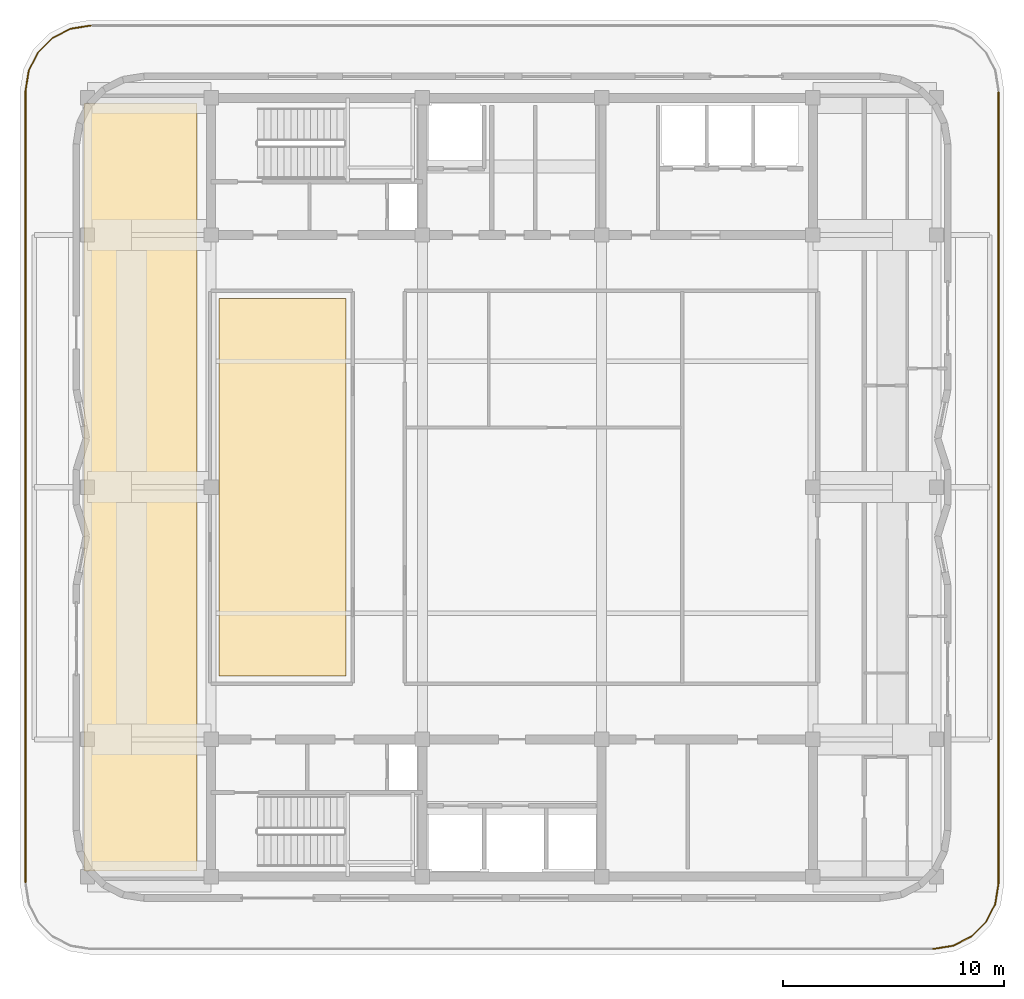
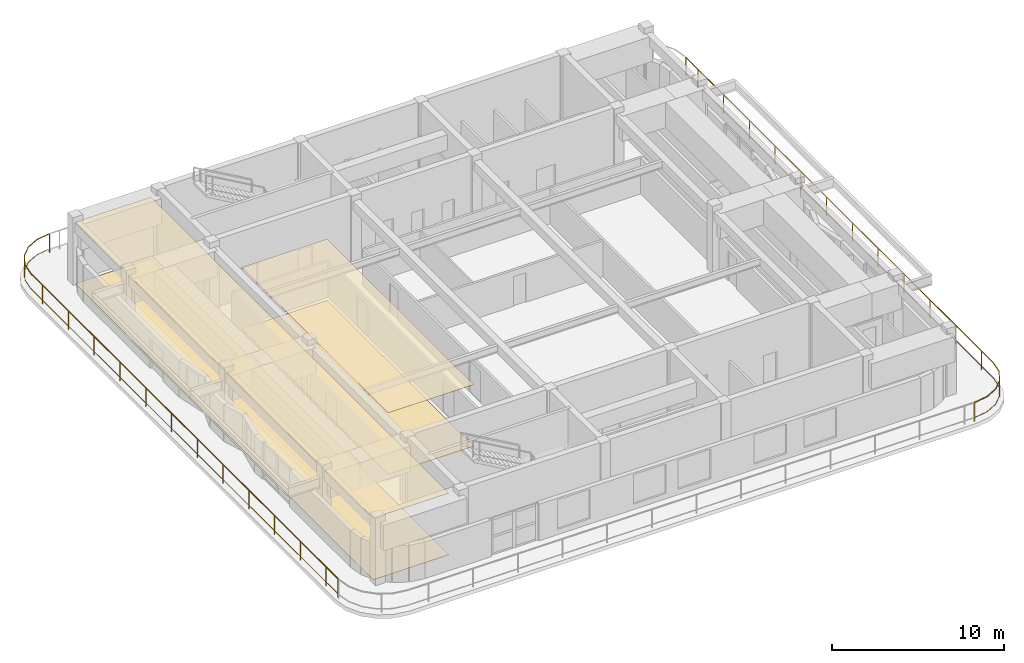
# One storey, part 11 of 12: 4 coverings, 2 railings.
"""IFC4 building model written with IfcOpenShell, lengths in metres."""

from ifc_helpers import new_model, si_unit, direction, frame, origin, origin_2d, place, context, subcontext, project, spatial, polyline, rectangle, outline, extrude, material, layer, layer_set, type_object, element, save


model = new_model("IFC4")

# Units and contexts
model_context = context("Model", 3, precision=1e-05, world=origin(), true_north=direction((0.0, 1.0)))
body_context = subcontext(model_context, "Body", "Model", "MODEL_VIEW")
ifc_project = project(units=[si_unit("LENGTHUNIT", "METRE"), si_unit("AREAUNIT", "SQUARE_METRE"), si_unit("VOLUMEUNIT", "CUBIC_METRE"), si_unit("PLANEANGLEUNIT", "RADIAN"), si_unit("MASSUNIT", "GRAM", prefix="KILO")], contexts=[model_context])

# Site, building, storey
site_placement = place(None, origin())
site = spatial("IfcSite", under=ifc_project, at=site_placement, CompositionType="ELEMENT")
building_placement = place(site_placement, origin())
building = spatial("IfcBuilding", under=site, at=building_placement, Name="Svetorya Sky Lyceum", CompositionType="ELEMENT")
storey_placement = place(building_placement, frame((0.0, 0.0, 297.199951171875)))
storey = spatial("IfcBuildingStorey", under=building, at=storey_placement, Name="L75", CompositionType="ELEMENT", Elevation=297.199951171875)

# Coverings
ifc_material_1 = material(Name="Perforated acoustic gypsum ceiling board")
ifc_layer_1 = layer(ifc_material_1, 0.01806640625)
ifc_layer_set_1 = layer_set([ifc_layer_1], Name="Perforated acoustic gypsum ceiling board")
covering_type_1 = type_object("IfcCoveringType", Name="COV-CLG-GYP", PredefinedType="CEILING", material=ifc_layer_set_1)
covering_1_placement = place(storey_placement, frame((0.0, 0.0, 4.382080078125)))
element("IfcCovering", 1, at=covering_1_placement, inside=storey, type_object=covering_type_1, Name="Sky Observatory West Panorama Wing Acoustic Ceiling", PredefinedType="CEILING", context=body_context, shape_type="SweptSolid", body=[
    extrude(outline(polyline([(19.860107421875, 10.85009765625), (24.949951171875, 10.85009765625), (24.949951171875, 45.550048828125), (19.860107421875, 45.550048828125), (19.860107421875, 10.85009765625)])), origin(), (0.0, 0.0, 1.0), 0.01806640625),
])
covering_2_placement = place(storey_placement, frame((0.0, 0.0, 4.382080078125)))
element("IfcCovering", 2, at=covering_2_placement, inside=storey, type_object=covering_type_1, Name="Sky Observatory Central Gallery Acoustic Ceiling", PredefinedType="CEILING", context=body_context, shape_type="SweptSolid", body=[
    extrude(outline(polyline([(25.949951171875, 19.669921875), (31.699951171875, 19.669921875), (31.699951171875, 36.72998046875), (25.949951171875, 36.72998046875), (25.949951171875, 19.669921875)])), origin(), (0.0, 0.0, 1.0), 0.01806640625),
])
ifc_material_2 = material(Name="Honed Karelian granite terrazzo flooring", Category="masonry")
ifc_layer_2 = layer(ifc_material_2, 0.030029296875)
ifc_layer_set_2 = layer_set([ifc_layer_2], Name="Honed Karelian granite terrazzo flooring")
covering_type_2 = type_object("IfcCoveringType", Name="COV-FLR-TER", PredefinedType="FLOORING", material=ifc_layer_set_2)
covering_3_placement = place(storey_placement, origin())
element("IfcCovering", 3, at=covering_3_placement, inside=storey, type_object=covering_type_2, Name="Sky Observatory West Panorama Wing Architectural Flooring", PredefinedType="FLOORING", context=body_context, shape_type="SweptSolid", body=[
    extrude(outline(polyline([(19.860107421875, 10.85009765625), (24.949951171875, 10.85009765625), (24.949951171875, 45.550048828125), (19.860107421875, 45.550048828125), (19.860107421875, 10.85009765625)])), origin(), (0.0, 0.0, 1.0), 0.030029296875),
])
covering_4_placement = place(storey_placement, origin())
element("IfcCovering", 4, at=covering_4_placement, inside=storey, type_object=covering_type_2, Name="Sky Observatory Central Gallery Architectural Flooring", PredefinedType="FLOORING", context=body_context, shape_type="SweptSolid", body=[
    extrude(outline(polyline([(25.949951171875, 19.669921875), (31.699951171875, 19.669921875), (31.699951171875, 36.72998046875), (25.949951171875, 36.72998046875), (25.949951171875, 19.669921875)])), origin(), (0.0, 0.0, 1.0), 0.030029296875),
])

# Railings
ifc_material_3 = material(Name="Laminated glass lookout balustrade", Category="glass")
railing_type = type_object("IfcRailingType", Name="RL-OBS-1350", PredefinedType="BALUSTRADE", material=ifc_material_3)
railing_1_placement = place(storey_placement, frame((58.239990234375, 7.330078125, 0.0)))
element("IfcRailing", 5, at=railing_1_placement, inside=storey, type_object=railing_type, Name="L75 Sky Observatory Balustrade Quadrant 2", PredefinedType="BALUSTRADE", context=body_context, shape_type="SweptSolid", body=[
    extrude(rectangle(XDim=0.048095703125, YDim=0.048095703125, at=origin_2d()), frame((0.0, 0.0, 1.326171875), z_axis=(0.987704989555, 0.156329311416, 0.0), x_axis=(-0.156329311416, 0.987704989555, 0.0)), (0.0, 0.0, 1.0), 0.9228515625),
    extrude(rectangle(XDim=0.02392578125, YDim=0.02392578125, at=origin_2d()), frame((0.0, 0.0, 0.25), z_axis=(0.987704989555, 0.156329311416, 0.0), x_axis=(-0.156329311416, 0.987704989555, 0.0)), (0.0, 0.0, 1.0), 0.9228515625),
    extrude(rectangle(XDim=0.048095703125, YDim=0.048095703125, at=origin_2d()), frame((0.91162109375, 0.144287109375, 1.326171875), z_axis=(0.891069771532, 0.453866348456, 0.0), x_axis=(-0.453866348456, 0.891069771532, 0.0)), (0.0, 0.0, 1.0), 0.923095703125),
    extrude(rectangle(XDim=0.02392578125, YDim=0.02392578125, at=origin_2d()), frame((0.91162109375, 0.144287109375, 0.25), z_axis=(0.891069771532, 0.453866348456, 0.0), x_axis=(-0.453866348456, 0.891069771532, 0.0)), (0.0, 0.0, 1.0), 0.923095703125),
    extrude(rectangle(XDim=0.048095703125, YDim=0.048095703125, at=origin_2d()), frame((1.734130859375, 0.563232421875, 1.326171875), z_axis=(0.707106781187, 0.707106781187, 0.0), x_axis=(-0.707106781187, 0.707106781187, 0.0)), (0.0, 0.0, 1.0), 0.9228515625),
    extrude(rectangle(XDim=0.02392578125, YDim=0.02392578125, at=origin_2d()), frame((1.734130859375, 0.563232421875, 0.25), z_axis=(0.707106781187, 0.707106781187, 0.0), x_axis=(-0.707106781187, 0.707106781187, 0.0)), (0.0, 0.0, 1.0), 0.9228515625),
    extrude(rectangle(XDim=0.048095703125, YDim=0.048095703125, at=origin_2d()), frame((2.38671875, 1.2158203125, 1.326171875), z_axis=(0.453866348456, 0.891069771532, 0.0), x_axis=(-0.891069771532, 0.453866348456, 0.0)), (0.0, 0.0, 1.0), 0.923095703125),
    extrude(rectangle(XDim=0.02392578125, YDim=0.02392578125, at=origin_2d()), frame((2.38671875, 1.2158203125, 0.25), z_axis=(0.453866348456, 0.891069771532, 0.0), x_axis=(-0.891069771532, 0.453866348456, 0.0)), (0.0, 0.0, 1.0), 0.923095703125),
    extrude(rectangle(XDim=0.048095703125, YDim=0.048095703125, at=origin_2d()), frame((2.8056640625, 2.038330078125, 1.326171875), z_axis=(0.156329311416, 0.987704989555, 0.0), x_axis=(-0.987704989555, 0.156329311416, 0.0)), (0.0, 0.0, 1.0), 0.9228515625),
    extrude(rectangle(XDim=0.02392578125, YDim=0.02392578125, at=origin_2d()), frame((2.8056640625, 2.038330078125, 0.25), z_axis=(0.156329311416, 0.987704989555, 0.0), x_axis=(-0.987704989555, 0.156329311416, 0.0)), (0.0, 0.0, 1.0), 0.9228515625),
    extrude(rectangle(XDim=0.048095703125, YDim=0.048095703125, at=origin_2d()), frame((2.949951171875, 2.949951171875, 1.326171875), z_axis=(0.0, 1.0, 0.0), x_axis=(-1.0, 0.0, 0.0)), (0.0, 0.0, 1.0), 35.780029296875),
    extrude(rectangle(XDim=0.02392578125, YDim=0.02392578125, at=origin_2d()), frame((2.949951171875, 2.949951171875, 0.25), z_axis=(0.0, 1.0, 0.0), x_axis=(-1.0, 0.0, 0.0)), (0.0, 0.0, 1.0), 35.780029296875),
    extrude(rectangle(XDim=0.0419921875, YDim=0.0419921875, at=origin_2d()), origin(), (0.0, 0.0, 1.0), 1.302001953125),
    extrude(rectangle(XDim=0.0419921875, YDim=0.0419921875, at=origin_2d()), frame((2.49169921875, 1.421630859375, 0.0)), (0.0, 0.0, 1.0), 1.302001953125),
    extrude(rectangle(XDim=0.0419921875, YDim=0.0419921875, at=origin_2d()), frame((2.949951171875, 4.3349609375, 0.0)), (0.0, 0.0, 1.0), 1.302001953125),
    extrude(rectangle(XDim=0.0419921875, YDim=0.0419921875, at=origin_2d()), frame((2.949951171875, 7.3349609375, 0.0)), (0.0, 0.0, 1.0), 1.302001953125),
    extrude(rectangle(XDim=0.0419921875, YDim=0.0419921875, at=origin_2d()), frame((2.949951171875, 10.3349609375, 0.0)), (0.0, 0.0, 1.0), 1.302001953125),
    extrude(rectangle(XDim=0.0419921875, YDim=0.0419921875, at=origin_2d()), frame((2.949951171875, 13.3349609375, 0.0)), (0.0, 0.0, 1.0), 1.302001953125),
    extrude(rectangle(XDim=0.0419921875, YDim=0.0419921875, at=origin_2d()), frame((2.949951171875, 16.3349609375, 0.0)), (0.0, 0.0, 1.0), 1.302001953125),
    extrude(rectangle(XDim=0.0419921875, YDim=0.0419921875, at=origin_2d()), frame((2.949951171875, 19.3349609375, 0.0)), (0.0, 0.0, 1.0), 1.302001953125),
    extrude(rectangle(XDim=0.0419921875, YDim=0.0419921875, at=origin_2d()), frame((2.949951171875, 22.3349609375, 0.0)), (0.0, 0.0, 1.0), 1.302001953125),
    extrude(rectangle(XDim=0.0419921875, YDim=0.0419921875, at=origin_2d()), frame((2.949951171875, 25.3349609375, 0.0)), (0.0, 0.0, 1.0), 1.302001953125),
    extrude(rectangle(XDim=0.0419921875, YDim=0.0419921875, at=origin_2d()), frame((2.949951171875, 28.3349609375, 0.0)), (0.0, 0.0, 1.0), 1.302001953125),
    extrude(rectangle(XDim=0.0419921875, YDim=0.0419921875, at=origin_2d()), frame((2.949951171875, 31.3349609375, 0.0)), (0.0, 0.0, 1.0), 1.302001953125),
    extrude(rectangle(XDim=0.0419921875, YDim=0.0419921875, at=origin_2d()), frame((2.949951171875, 34.3349609375, 0.0)), (0.0, 0.0, 1.0), 1.302001953125),
    extrude(rectangle(XDim=0.0419921875, YDim=0.0419921875, at=origin_2d()), frame((2.949951171875, 37.3349609375, 0.0)), (0.0, 0.0, 1.0), 1.302001953125),
    extrude(rectangle(XDim=0.0419921875, YDim=0.0419921875, at=origin_2d()), frame((2.949951171875, 38.72998046875, 0.0)), (0.0, 0.0, 1.0), 1.302001953125),
])
railing_2_placement = place(storey_placement, frame((20.159912109375, 49.070068359375, 0.0)))
element("IfcRailing", 6, at=railing_2_placement, inside=storey, type_object=railing_type, Name="L75 Sky Observatory Balustrade Quadrant 4", PredefinedType="BALUSTRADE", context=body_context, shape_type="SweptSolid", body=[
    extrude(rectangle(XDim=0.048095703125, YDim=0.048095703125, at=origin_2d()), frame((0.0, 0.0, 1.326171875), z_axis=(-0.98766411426, -0.156587347521, 0.0), x_axis=(0.156587347521, -0.98766411426, 0.0)), (0.0, 0.0, 1.0), 0.923095703125),
    extrude(rectangle(XDim=0.02392578125, YDim=0.02392578125, at=origin_2d()), frame((0.0, 0.0, 0.25), z_axis=(-0.98766411426, -0.156587347521, 0.0), x_axis=(0.156587347521, -0.98766411426, 0.0)), (0.0, 0.0, 1.0), 0.923095703125),
    extrude(rectangle(XDim=0.048095703125, YDim=0.048095703125, at=origin_2d()), frame((-0.91162109375, -0.14453125, 1.326171875), z_axis=(-0.891015268556, -0.453973337542, 0.0), x_axis=(0.453973337542, -0.891015268556, 0.0)), (0.0, 0.0, 1.0), 0.9228515625),
    extrude(rectangle(XDim=0.02392578125, YDim=0.02392578125, at=origin_2d()), frame((-0.91162109375, -0.14453125, 0.25), z_axis=(-0.891015268556, -0.453973337542, 0.0), x_axis=(0.453973337542, -0.891015268556, 0.0)), (0.0, 0.0, 1.0), 0.9228515625),
    extrude(rectangle(XDim=0.048095703125, YDim=0.048095703125, at=origin_2d()), frame((-1.73388671875, -0.5634765625, 1.326171875), z_axis=(-0.707106781187, -0.707106781187, 0.0), x_axis=(0.707106781187, -0.707106781187, 0.0)), (0.0, 0.0, 1.0), 0.9228515625),
    extrude(rectangle(XDim=0.02392578125, YDim=0.02392578125, at=origin_2d()), frame((-1.73388671875, -0.5634765625, 0.25), z_axis=(-0.707106781187, -0.707106781187, 0.0), x_axis=(0.707106781187, -0.707106781187, 0.0)), (0.0, 0.0, 1.0), 0.9228515625),
    extrude(rectangle(XDim=0.048095703125, YDim=0.048095703125, at=origin_2d()), frame((-2.386474609375, -1.216064453125, 1.326171875), z_axis=(-0.453866348456, -0.891069771532, 0.0), x_axis=(0.891069771532, -0.453866348456, 0.0)), (0.0, 0.0, 1.0), 0.923095703125),
    extrude(rectangle(XDim=0.02392578125, YDim=0.02392578125, at=origin_2d()), frame((-2.386474609375, -1.216064453125, 0.25), z_axis=(-0.453866348456, -0.891069771532, 0.0), x_axis=(0.891069771532, -0.453866348456, 0.0)), (0.0, 0.0, 1.0), 0.923095703125),
    extrude(rectangle(XDim=0.048095703125, YDim=0.048095703125, at=origin_2d()), frame((-2.805419921875, -2.03857421875, 1.326171875), z_axis=(-0.156628265384, -0.987657626145, 0.0), x_axis=(0.987657626145, -0.156628265384, 0.0)), (0.0, 0.0, 1.0), 0.9228515625),
    extrude(rectangle(XDim=0.02392578125, YDim=0.02392578125, at=origin_2d()), frame((-2.805419921875, -2.03857421875, 0.25), z_axis=(-0.156628265384, -0.987657626145, 0.0), x_axis=(0.987657626145, -0.156628265384, 0.0)), (0.0, 0.0, 1.0), 0.9228515625),
    extrude(rectangle(XDim=0.048095703125, YDim=0.048095703125, at=origin_2d()), frame((-2.949951171875, -2.949951171875, 1.326171875), z_axis=(0.0, -1.0, 0.0), x_axis=(1.0, 0.0, 0.0)), (0.0, 0.0, 1.0), 35.780029296875),
    extrude(rectangle(XDim=0.02392578125, YDim=0.02392578125, at=origin_2d()), frame((-2.949951171875, -2.949951171875, 0.25), z_axis=(0.0, -1.0, 0.0), x_axis=(1.0, 0.0, 0.0)), (0.0, 0.0, 1.0), 35.780029296875),
    extrude(rectangle(XDim=0.0419921875, YDim=0.0419921875, at=origin_2d()), origin(), (0.0, 0.0, 1.0), 1.302001953125),
    extrude(rectangle(XDim=0.0419921875, YDim=0.0419921875, at=origin_2d()), frame((-2.491455078125, -1.422119140625, 0.0)), (0.0, 0.0, 1.0), 1.302001953125),
    extrude(rectangle(XDim=0.0419921875, YDim=0.0419921875, at=origin_2d()), frame((-2.949951171875, -4.33544921875, 0.0)), (0.0, 0.0, 1.0), 1.302001953125),
    extrude(rectangle(XDim=0.0419921875, YDim=0.0419921875, at=origin_2d()), frame((-2.949951171875, -7.33544921875, 0.0)), (0.0, 0.0, 1.0), 1.302001953125),
    extrude(rectangle(XDim=0.0419921875, YDim=0.0419921875, at=origin_2d()), frame((-2.949951171875, -10.33544921875, 0.0)), (0.0, 0.0, 1.0), 1.302001953125),
    extrude(rectangle(XDim=0.0419921875, YDim=0.0419921875, at=origin_2d()), frame((-2.949951171875, -13.33544921875, 0.0)), (0.0, 0.0, 1.0), 1.302001953125),
    extrude(rectangle(XDim=0.0419921875, YDim=0.0419921875, at=origin_2d()), frame((-2.949951171875, -16.33544921875, 0.0)), (0.0, 0.0, 1.0), 1.302001953125),
    extrude(rectangle(XDim=0.0419921875, YDim=0.0419921875, at=origin_2d()), frame((-2.949951171875, -19.33544921875, 0.0)), (0.0, 0.0, 1.0), 1.302001953125),
    extrude(rectangle(XDim=0.0419921875, YDim=0.0419921875, at=origin_2d()), frame((-2.949951171875, -22.33544921875, 0.0)), (0.0, 0.0, 1.0), 1.302001953125),
    extrude(rectangle(XDim=0.0419921875, YDim=0.0419921875, at=origin_2d()), frame((-2.949951171875, -25.33544921875, 0.0)), (0.0, 0.0, 1.0), 1.302001953125),
    extrude(rectangle(XDim=0.0419921875, YDim=0.0419921875, at=origin_2d()), frame((-2.949951171875, -28.33544921875, 0.0)), (0.0, 0.0, 1.0), 1.302001953125),
    extrude(rectangle(XDim=0.0419921875, YDim=0.0419921875, at=origin_2d()), frame((-2.949951171875, -31.33544921875, 0.0)), (0.0, 0.0, 1.0), 1.302001953125),
    extrude(rectangle(XDim=0.0419921875, YDim=0.0419921875, at=origin_2d()), frame((-2.949951171875, -34.33544921875, 0.0)), (0.0, 0.0, 1.0), 1.302001953125),
    extrude(rectangle(XDim=0.0419921875, YDim=0.0419921875, at=origin_2d()), frame((-2.949951171875, -37.33544921875, 0.0)), (0.0, 0.0, 1.0), 1.302001953125),
    extrude(rectangle(XDim=0.0419921875, YDim=0.0419921875, at=origin_2d()), frame((-2.949951171875, -38.72998046875, 0.0)), (0.0, 0.0, 1.0), 1.302001953125),
])

save(model, "model.ifc")
